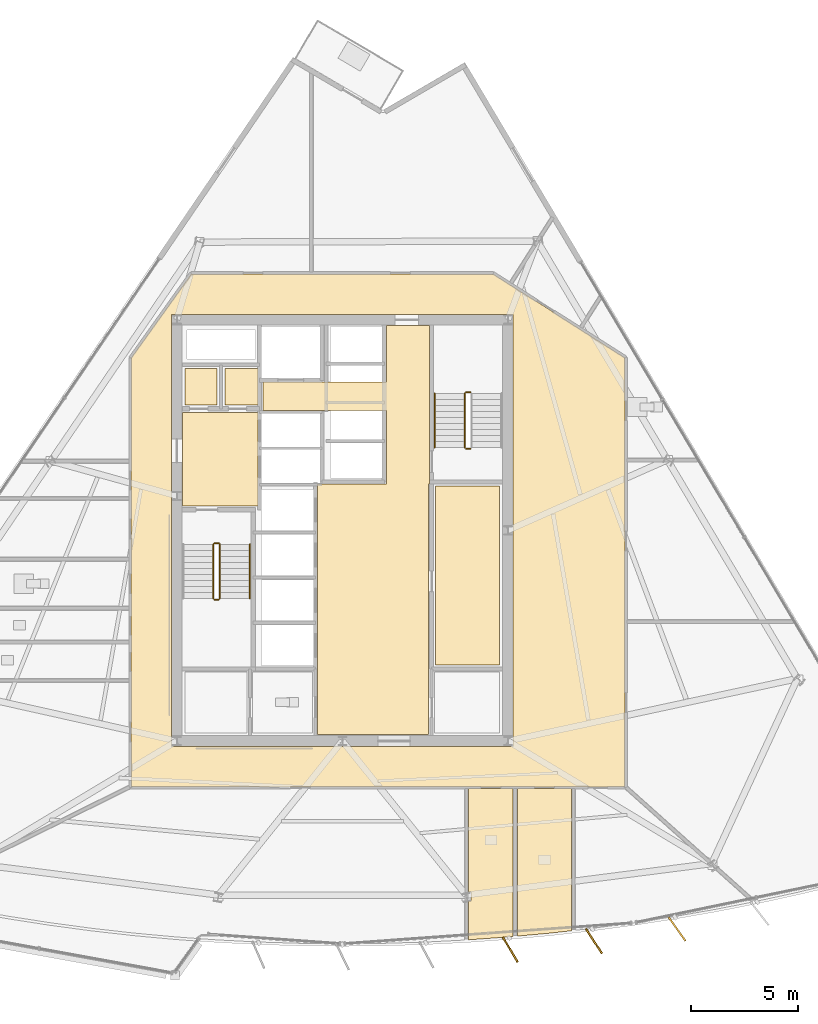
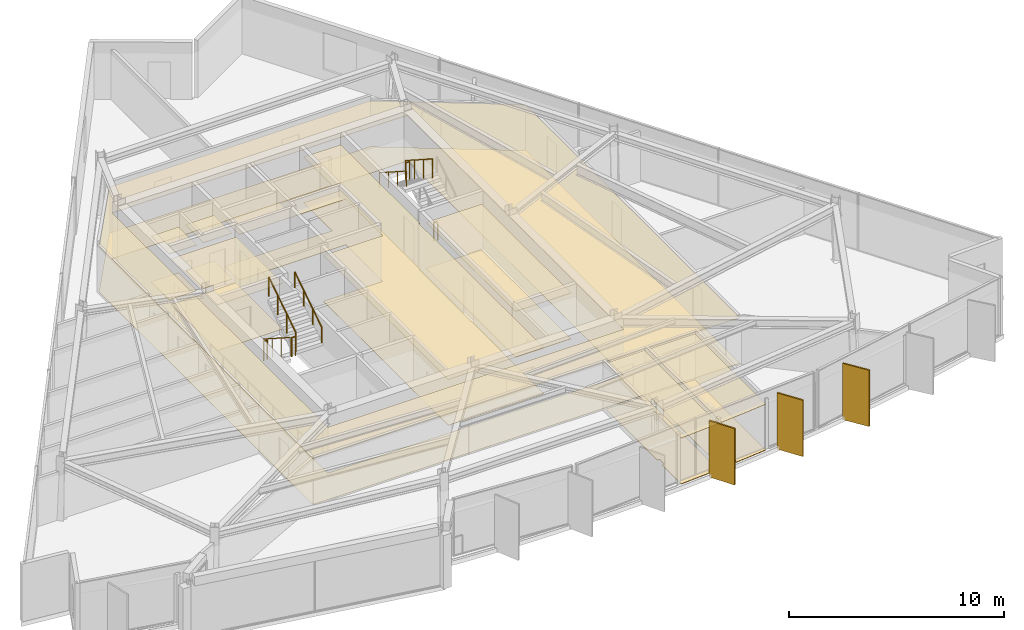
# One storey, part 12 of 14: 16 coverings, 9 railings, 3 shading devices.
"""IFC4 building model written with IfcOpenShell, lengths in metres."""

from ifc_helpers import new_model, si_unit, direction, frame, origin, origin_2d, place, context, subcontext, project, spatial, polyline, rectangle, circle, outline, extrude, material, layer, layer_set, type_object, element, save


model = new_model("IFC4")

# Units and contexts
model_context = context("Model", 3, precision=1e-05, world=origin(), true_north=direction((0.0, 1.0)))
body_context = subcontext(model_context, "Body", "Model", "MODEL_VIEW")
ifc_project = project(units=[si_unit("LENGTHUNIT", "METRE"), si_unit("AREAUNIT", "SQUARE_METRE"), si_unit("VOLUMEUNIT", "CUBIC_METRE"), si_unit("PLANEANGLEUNIT", "RADIAN"), si_unit("MASSUNIT", "GRAM", prefix="KILO")], contexts=[model_context])

# Site, building, storey
site_placement = place(None, origin())
site = spatial("IfcSite", under=ifc_project, at=site_placement, CompositionType="ELEMENT")
building_placement = place(site_placement, origin())
building = spatial("IfcBuilding", under=site, at=building_placement, Name="Savorim Split Tower", CompositionType="ELEMENT")
storey_placement = place(building_placement, frame((0.0, 0.0, 181.800048828125)))
storey = spatial("IfcBuildingStorey", under=building, at=storey_placement, Name="L48", CompositionType="ELEMENT", Elevation=181.800048828125)

# Coverings
ifc_material_1 = material(Name="Mineral Fibre Acoustic Ceiling")
ifc_layer_1 = layer(ifc_material_1, 0.02490234375)
ifc_layer_set_1 = layer_set([ifc_layer_1], Name="COV-CEIL-25")
covering_type_1 = type_object("IfcCoveringType", Name="COV-CEIL-25", PredefinedType="CEILING", material=ifc_layer_set_1)
covering_1_placement = place(storey_placement, frame((0.0, 0.0, 2.599853515625)))
element("IfcCovering", 1, at=covering_1_placement, inside=storey, type_object=covering_type_1, Name="L48 Firefighting Lift Lobby Acoustic Ceiling", PredefinedType="CEILING", context=body_context, shape_type="SweptSolid", body=[
    extrude(outline(polyline([(-7.429931640625, 5.8701171875), (-7.429931640625, 1.530029296875), (-3.929931640625, 1.530029296875), (-3.929931640625, 5.8701171875), (-7.429931640625, 5.8701171875)])), origin(), (0.0, 0.0, 1.0), 0.025146484375),
])
covering_2_placement = place(storey_placement, frame((0.0, 0.0, 2.599853515625)))
element("IfcCovering", 2, at=covering_2_placement, inside=storey, type_object=covering_type_1, Name="L48 Electrical Riser Acoustic Ceiling", PredefinedType="CEILING", context=body_context, shape_type="SweptSolid", body=[
    extrude(outline(polyline([(-7.320068359375, 7.919921875), (-7.320068359375, 6.22998046875), (-5.830078125, 6.22998046875), (-5.830078125, 7.919921875), (-7.320068359375, 7.919921875)])), origin(), (0.0, 0.0, 1.0), 0.025146484375),
])
covering_3_placement = place(storey_placement, frame((0.0, 0.0, 2.599853515625)))
element("IfcCovering", 3, at=covering_3_placement, inside=storey, type_object=covering_type_1, Name="L48 Telecom Riser Acoustic Ceiling", PredefinedType="CEILING", context=body_context, shape_type="SweptSolid", body=[
    extrude(outline(polyline([(-5.469970703125, 7.919921875), (-5.469970703125, 6.22998046875), (-3.929931640625, 6.22998046875), (-3.929931640625, 7.919921875), (-5.469970703125, 7.919921875)])), origin(), (0.0, 0.0, 1.0), 0.025146484375),
])
covering_4_placement = place(storey_placement, frame((0.0, 0.0, 2.599853515625)))
element("IfcCovering", 4, at=covering_4_placement, inside=storey, type_object=covering_type_1, Name="L48 Lift Lobby Acoustic Ceiling", PredefinedType="CEILING", context=body_context, shape_type="SweptSolid", body=[
    extrude(outline(polyline([(2.050048828125, 2.550048828125), (-1.14990234375, 2.550048828125), (-1.14990234375, -9.10009765625), (4.0, -9.10009765625), (4.0, 2.550048828125), (4.050048828125, 2.550048828125), (4.050048828125, 5.97998046875), (4.050048828125, 7.300048828125), (4.050048828125, 9.929931640625), (2.050048828125, 9.929931640625), (2.050048828125, 7.300048828125), (-3.699951171875, 7.300048828125), (-3.699951171875, 5.97998046875), (2.050048828125, 5.97998046875), (2.050048828125, 2.550048828125)])), origin(), (0.0, 0.0, 1.0), 0.025146484375),
])
covering_5_placement = place(storey_placement, frame((0.0, 0.0, 2.599853515625)))
element("IfcCovering", 5, at=covering_5_placement, inside=storey, type_object=covering_type_1, Name="L48 Shared Pantry and Linen Room Acoustic Ceiling", PredefinedType="CEILING", context=body_context, shape_type="SweptSolid", body=[
    extrude(outline(polyline([(4.330078125, 2.469970703125), (4.330078125, -5.8701171875), (7.320068359375, -5.8701171875), (7.320068359375, 2.469970703125), (4.330078125, 2.469970703125)])), origin(), (0.0, 0.0, 1.0), 0.025146484375),
])
covering_6_placement = place(storey_placement, frame((0.0, 0.0, 2.599853515625)))
element("IfcCovering", 6, at=covering_6_placement, inside=storey, type_object=covering_type_1, Name="L48 Corridor Acoustic Ceiling", PredefinedType="CEILING", context=body_context, shape_type="SweptSolid", body=[
    extrude(outline(polyline([(7.009521484375, 12.3291015625), (7.004638671875, 12.329833984375), (7.0, 12.330078125), (-7.0, 12.330078125), (-7.004638671875, 12.329833984375), (-7.009521484375, 12.3291015625), (-7.013916015625, 12.327880859375), (-7.0185546875, 12.326416015625), (-7.022705078125, 12.324462890625), (-7.027099609375, 12.322021484375), (-7.03076171875, 12.3193359375), (-7.034423828125, 12.31640625), (-7.03759765625, 12.312744140625), (-7.04052734375, 12.30908203125), (-9.820556640625, 8.42919921875), (-9.823486328125, 8.4248046875), (-9.82568359375, 8.420166015625), (-9.82763671875, 8.415283203125), (-9.828857421875, 8.410400390625), (-9.82958984375, 8.4052734375), (-9.830078125, 8.39990234375), (-9.830078125, -11.47998046875), (-9.829833984375, -11.48486328125), (-9.8291015625, -11.48974609375), (-9.827880859375, -11.494384765625), (-9.826171875, -11.4990234375), (-9.82421875, -11.503662109375), (-9.821533203125, -11.5078125), (-9.818603515625, -11.51171875), (-9.8154296875, -11.515380859375), (-9.811767578125, -11.518798828125), (-9.807861328125, -11.521484375), (-9.8037109375, -11.524169921875), (-9.799072265625, -11.526123046875), (-9.79443359375, -11.52783203125), (-9.789794921875, -11.529052734375), (-9.784912109375, -11.52978515625), (-9.780029296875, -11.530029296875), (13.10009765625, -11.530029296875), (13.10498046875, -11.52978515625), (13.10986328125, -11.529052734375), (13.114501953125, -11.52783203125), (13.119140625, -11.526123046875), (13.12353515625, -11.524169921875), (13.127685546875, -11.521484375), (13.131591796875, -11.518798828125), (13.135498046875, -11.515380859375), (13.138671875, -11.51171875), (13.1416015625, -11.5078125), (13.14404296875, -11.503662109375), (13.146240234375, -11.4990234375), (13.147705078125, -11.494384765625), (13.14892578125, -11.48974609375), (13.14990234375, -11.48486328125), (13.14990234375, -11.47998046875), (13.14990234375, 8.39990234375), (13.149658203125, 8.405029296875), (13.14892578125, 8.409912109375), (13.147705078125, 8.414794921875), (13.14599609375, 8.41943359375), (13.143798828125, 8.424072265625), (13.14111328125, 8.42822265625), (13.13818359375, 8.432373046875), (13.134765625, 8.43603515625), (13.130859375, 8.439208984375), (13.126708984375, 8.442138671875), (7.02685546875, 12.322265625), (7.022705078125, 12.324462890625), (7.018310546875, 12.326416015625), (7.013916015625, 12.327880859375), (7.009521484375, 12.3291015625)]), holes=[polyline([(-7.949951171875, 10.449951171875), (-7.949951171875, -9.64990234375), (7.949951171875, -9.64990234375), (7.949951171875, 10.449951171875), (-7.949951171875, 10.449951171875)])]), origin(), (0.0, 0.0, 1.0), 0.025146484375),
])
covering_7_placement = place(storey_placement, frame((0.0, 0.0, 2.599853515625)))
element("IfcCovering", 7, at=covering_7_placement, inside=storey, type_object=covering_type_1, Name="L48 Shared Kitchen Acoustic Ceiling", PredefinedType="CEILING", context=body_context, shape_type="SweptSolid", body=[
    extrude(outline(polyline([(5.868896484375, -18.605712890625), (5.868896484375, -18.64990234375), (7.7626953125, -18.51416015625), (7.947509765625, -18.4970703125), (7.947509765625, -11.6201171875), (5.868896484375, -11.6201171875), (5.868896484375, -16.422119140625), (5.984375, -16.422119140625), (5.984375, -16.84130859375), (5.868896484375, -16.84130859375), (5.868896484375, -18.605712890625)])), origin(), (0.0, 0.0, 1.0), 0.025146484375),
])
covering_8_placement = place(storey_placement, frame((0.0, 0.0, 2.599853515625)))
element("IfcCovering", 8, at=covering_8_placement, inside=storey, type_object=covering_type_1, Name="L48 Shared Kitchen Acoustic Ceiling", PredefinedType="CEILING", context=body_context, shape_type="SweptSolid", body=[
    extrude(outline(polyline([(8.137451171875, -11.6201171875), (8.137451171875, -18.4794921875), (9.697509765625, -18.33544921875), (10.661376953125, -18.2265625), (10.661376953125, -11.6201171875), (8.137451171875, -11.6201171875)])), origin(), (0.0, 0.0, 1.0), 0.025146484375),
])
ifc_material_2 = material(Name="Porcelain Stoneware Flooring", Category="masonry")
ifc_layer_2 = layer(ifc_material_2, 0.02001953125)
ifc_layer_set_2 = layer_set([ifc_layer_2], Name="COV-FLOR-20")
covering_type_2 = type_object("IfcCoveringType", Name="COV-FLOR-20", PredefinedType="FLOORING", material=ifc_layer_set_2)
covering_9_placement = place(storey_placement, origin())
element("IfcCovering", 9, at=covering_9_placement, inside=storey, type_object=covering_type_2, Name="L48 Firefighting Lift Lobby Porcelain Flooring", PredefinedType="FLOORING", context=body_context, shape_type="SweptSolid", body=[
    extrude(outline(polyline([(-7.429931640625, 5.8701171875), (-7.429931640625, 1.530029296875), (-3.929931640625, 1.530029296875), (-3.929931640625, 5.8701171875), (-7.429931640625, 5.8701171875)])), origin(), (0.0, 0.0, 1.0), 0.02001953125),
])
covering_10_placement = place(storey_placement, origin())
element("IfcCovering", 10, at=covering_10_placement, inside=storey, type_object=covering_type_2, Name="L48 Electrical Riser Porcelain Flooring", PredefinedType="FLOORING", context=body_context, shape_type="SweptSolid", body=[
    extrude(outline(polyline([(-7.320068359375, 7.919921875), (-7.320068359375, 6.22998046875), (-5.830078125, 6.22998046875), (-5.830078125, 7.919921875), (-7.320068359375, 7.919921875)])), origin(), (0.0, 0.0, 1.0), 0.02001953125),
])
covering_11_placement = place(storey_placement, origin())
element("IfcCovering", 11, at=covering_11_placement, inside=storey, type_object=covering_type_2, Name="L48 Telecom Riser Porcelain Flooring", PredefinedType="FLOORING", context=body_context, shape_type="SweptSolid", body=[
    extrude(outline(polyline([(-5.469970703125, 7.919921875), (-5.469970703125, 6.22998046875), (-3.929931640625, 6.22998046875), (-3.929931640625, 7.919921875), (-5.469970703125, 7.919921875)])), origin(), (0.0, 0.0, 1.0), 0.02001953125),
])
covering_12_placement = place(storey_placement, origin())
element("IfcCovering", 12, at=covering_12_placement, inside=storey, type_object=covering_type_2, Name="L48 Lift Lobby Porcelain Flooring", PredefinedType="FLOORING", context=body_context, shape_type="SweptSolid", body=[
    extrude(outline(polyline([(2.050048828125, 2.550048828125), (-1.14990234375, 2.550048828125), (-1.14990234375, -9.10009765625), (4.0, -9.10009765625), (4.0, 2.550048828125), (4.050048828125, 2.550048828125), (4.050048828125, 5.97998046875), (4.050048828125, 7.300048828125), (4.050048828125, 9.929931640625), (2.050048828125, 9.929931640625), (2.050048828125, 7.300048828125), (-3.699951171875, 7.300048828125), (-3.699951171875, 5.97998046875), (2.050048828125, 5.97998046875), (2.050048828125, 2.550048828125)])), origin(), (0.0, 0.0, 1.0), 0.02001953125),
])
covering_13_placement = place(storey_placement, origin())
element("IfcCovering", 13, at=covering_13_placement, inside=storey, type_object=covering_type_2, Name="L48 Shared Pantry and Linen Room Porcelain Flooring", PredefinedType="FLOORING", context=body_context, shape_type="SweptSolid", body=[
    extrude(outline(polyline([(4.330078125, 2.469970703125), (4.330078125, -5.8701171875), (7.320068359375, -5.8701171875), (7.320068359375, 2.469970703125), (4.330078125, 2.469970703125)])), origin(), (0.0, 0.0, 1.0), 0.02001953125),
])
covering_14_placement = place(storey_placement, origin())
element("IfcCovering", 14, at=covering_14_placement, inside=storey, type_object=covering_type_2, Name="L48 Corridor Porcelain Flooring", PredefinedType="FLOORING", context=body_context, shape_type="SweptSolid", body=[
    extrude(outline(polyline([(7.009521484375, 12.3291015625), (7.004638671875, 12.329833984375), (7.0, 12.330078125), (-7.0, 12.330078125), (-7.004638671875, 12.329833984375), (-7.009521484375, 12.3291015625), (-7.013916015625, 12.327880859375), (-7.0185546875, 12.326416015625), (-7.022705078125, 12.324462890625), (-7.027099609375, 12.322021484375), (-7.03076171875, 12.3193359375), (-7.034423828125, 12.31640625), (-7.03759765625, 12.312744140625), (-7.04052734375, 12.30908203125), (-9.820556640625, 8.42919921875), (-9.823486328125, 8.4248046875), (-9.82568359375, 8.420166015625), (-9.82763671875, 8.415283203125), (-9.828857421875, 8.410400390625), (-9.82958984375, 8.4052734375), (-9.830078125, 8.39990234375), (-9.830078125, -11.47998046875), (-9.829833984375, -11.48486328125), (-9.8291015625, -11.48974609375), (-9.827880859375, -11.494384765625), (-9.826171875, -11.4990234375), (-9.82421875, -11.503662109375), (-9.821533203125, -11.5078125), (-9.818603515625, -11.51171875), (-9.8154296875, -11.515380859375), (-9.811767578125, -11.518798828125), (-9.807861328125, -11.521484375), (-9.8037109375, -11.524169921875), (-9.799072265625, -11.526123046875), (-9.79443359375, -11.52783203125), (-9.789794921875, -11.529052734375), (-9.784912109375, -11.52978515625), (-9.780029296875, -11.530029296875), (13.10009765625, -11.530029296875), (13.10498046875, -11.52978515625), (13.10986328125, -11.529052734375), (13.114501953125, -11.52783203125), (13.119140625, -11.526123046875), (13.12353515625, -11.524169921875), (13.127685546875, -11.521484375), (13.131591796875, -11.518798828125), (13.135498046875, -11.515380859375), (13.138671875, -11.51171875), (13.1416015625, -11.5078125), (13.14404296875, -11.503662109375), (13.146240234375, -11.4990234375), (13.147705078125, -11.494384765625), (13.14892578125, -11.48974609375), (13.14990234375, -11.48486328125), (13.14990234375, -11.47998046875), (13.14990234375, 8.39990234375), (13.149658203125, 8.405029296875), (13.14892578125, 8.409912109375), (13.147705078125, 8.414794921875), (13.14599609375, 8.41943359375), (13.143798828125, 8.424072265625), (13.14111328125, 8.42822265625), (13.13818359375, 8.432373046875), (13.134765625, 8.43603515625), (13.130859375, 8.439208984375), (13.126708984375, 8.442138671875), (7.02685546875, 12.322265625), (7.022705078125, 12.324462890625), (7.018310546875, 12.326416015625), (7.013916015625, 12.327880859375), (7.009521484375, 12.3291015625)]), holes=[polyline([(-7.949951171875, 10.449951171875), (-7.949951171875, -9.64990234375), (7.949951171875, -9.64990234375), (7.949951171875, 10.449951171875), (-7.949951171875, 10.449951171875)])]), origin(), (0.0, 0.0, 1.0), 0.02001953125),
])
covering_15_placement = place(storey_placement, origin())
element("IfcCovering", 15, at=covering_15_placement, inside=storey, type_object=covering_type_2, Name="L48 Shared Kitchen Porcelain Flooring", PredefinedType="FLOORING", context=body_context, shape_type="SweptSolid", body=[
    extrude(outline(polyline([(5.868896484375, -18.605712890625), (5.868896484375, -18.64990234375), (7.7626953125, -18.51416015625), (7.947509765625, -18.4970703125), (7.947509765625, -11.6201171875), (5.868896484375, -11.6201171875), (5.868896484375, -16.422119140625), (5.984375, -16.422119140625), (5.984375, -16.84130859375), (5.868896484375, -16.84130859375), (5.868896484375, -18.605712890625)])), origin(), (0.0, 0.0, 1.0), 0.02001953125),
])
covering_16_placement = place(storey_placement, origin())
element("IfcCovering", 16, at=covering_16_placement, inside=storey, type_object=covering_type_2, Name="L48 Shared Kitchen Porcelain Flooring", PredefinedType="FLOORING", context=body_context, shape_type="SweptSolid", body=[
    extrude(outline(polyline([(8.137451171875, -11.6201171875), (8.137451171875, -18.4794921875), (9.697509765625, -18.33544921875), (10.661376953125, -18.2265625), (10.661376953125, -11.6201171875), (8.137451171875, -11.6201171875)])), origin(), (0.0, 0.0, 1.0), 0.02001953125),
])

# Railings
ifc_material_3 = material(Name="Galvanised Painted Steel Balustrade", Category="steel")
railing_type_1 = type_object("IfcRailingType", Name="RLG-HR-900", PredefinedType="HANDRAIL", material=ifc_material_3)
railing_1_placement = place(storey_placement, frame((-4.300048828125, -2.77001953125, 1.97998046875)))
element("IfcRailing", 17, at=railing_1_placement, inside=storey, type_object=railing_type_1, Name="L48 ST-1 stair handrail 2", PredefinedType="HANDRAIL", context=body_context, shape_type="SweptSolid", body=[
    extrude(circle(Radius=0.02392578125, at=origin_2d()), frame((0.0, 0.0, 0.8759765625), z_axis=(0.0, 0.841199657755, 0.540724639528), x_axis=(-1.0, 0.0, 0.0)), (0.0, 0.0, 1.0), 2.995849609375),
    extrude(circle(Radius=0.02099609375, at=origin_2d()), origin(), (0.0, 0.0, 1.0), 0.851806640625),
    extrude(circle(Radius=0.02099609375, at=origin_2d()), frame((0.0, 0.840087890625, 0.5400390625)), (0.0, 0.0, 1.0), 0.851806640625),
    extrude(circle(Radius=0.02099609375, at=origin_2d()), frame((0.0, 1.679931640625, 1.079833984375)), (0.0, 0.0, 1.0), 0.851806640625),
    extrude(circle(Radius=0.02099609375, at=origin_2d()), frame((0.0, 2.52001953125, 1.619873046875)), (0.0, 0.0, 1.0), 0.851806640625),
])
railing_2_placement = place(storey_placement, frame((4.300048828125, 6.77001953125, 1.97998046875)))
element("IfcRailing", 18, at=railing_2_placement, inside=storey, type_object=railing_type_1, Name="L48 ST-2 stair handrail 2", PredefinedType="HANDRAIL", context=body_context, shape_type="SweptSolid", body=[
    extrude(circle(Radius=0.02392578125, at=origin_2d()), frame((0.0, 0.0, 0.8759765625), z_axis=(0.0, -0.841199657755, 0.540724639528), x_axis=(1.0, 0.0, 0.0)), (0.0, 0.0, 1.0), 2.995849609375),
    extrude(circle(Radius=0.02099609375, at=origin_2d()), origin(), (0.0, 0.0, 1.0), 0.851806640625),
    extrude(circle(Radius=0.02099609375, at=origin_2d()), frame((0.0, -0.840087890625, 0.5400390625)), (0.0, 0.0, 1.0), 0.851806640625),
    extrude(circle(Radius=0.02099609375, at=origin_2d()), frame((0.0, -1.679931640625, 1.079833984375)), (0.0, 0.0, 1.0), 0.851806640625),
    extrude(circle(Radius=0.02099609375, at=origin_2d()), frame((0.0, -2.52001953125, 1.619873046875)), (0.0, 0.0, 1.0), 0.851806640625),
])
railing_type_2 = type_object("IfcRailingType", Name="RLG-STG-1100", PredefinedType="BALUSTRADE", material=ifc_material_3)
railing_3_placement = place(storey_placement, frame((-6.0, -0.25, 0.179931640625)))
element("IfcRailing", 19, at=railing_3_placement, inside=storey, type_object=railing_type_2, Name="L48 ST-1 stair guard 1", PredefinedType="BALUSTRADE", context=body_context, shape_type="SweptSolid", body=[
    extrude(circle(Radius=0.02392578125, at=origin_2d()), frame((0.0, 0.0, 1.076171875), z_axis=(0.0, -0.841162588446, 0.540782303519), x_axis=(1.0, 0.0, 0.0)), (0.0, 0.0, 1.0), 2.995849609375),
    extrude(circle(Radius=0.02099609375, at=origin_2d()), origin(), (0.0, 0.0, 1.0), 1.052001953125),
    extrude(circle(Radius=0.02099609375, at=origin_2d()), frame((0.0, -0.840087890625, 0.5400390625)), (0.0, 0.0, 1.0), 1.052001953125),
    extrude(circle(Radius=0.02099609375, at=origin_2d()), frame((0.0, -1.679931640625, 1.080078125)), (0.0, 0.0, 1.0), 1.052001953125),
    extrude(circle(Radius=0.02099609375, at=origin_2d()), frame((0.0, -2.52001953125, 1.6201171875)), (0.0, 0.0, 1.0), 1.052001953125),
])
railing_4_placement = place(storey_placement, frame((-5.949951171875, -2.820068359375, 1.800048828125)))
element("IfcRailing", 20, at=railing_4_placement, inside=storey, type_object=railing_type_2, Name="L48 ST-1 stair guard 2", PredefinedType="BALUSTRADE", context=body_context, shape_type="SweptSolid", body=[
    extrude(circle(Radius=0.02392578125, at=origin_2d()), frame((0.0, 0.0, 1.076171875), z_axis=(1.0, 0.0, 0.0), x_axis=(0.0, 1.0, 0.0)), (0.0, 0.0, 1.0), 0.199951171875),
    extrude(circle(Radius=0.02099609375, at=origin_2d()), origin(), (0.0, 0.0, 1.0), 1.052001953125),
    extrude(circle(Radius=0.02099609375, at=origin_2d()), frame((0.199951171875, 0.0, 0.0)), (0.0, 0.0, 1.0), 1.052001953125),
])
railing_5_placement = place(storey_placement, frame((-5.699951171875, -2.77001953125, 1.97998046875)))
element("IfcRailing", 21, at=railing_5_placement, inside=storey, type_object=railing_type_2, Name="L48 ST-1 stair guard 3", PredefinedType="BALUSTRADE", context=body_context, shape_type="SweptSolid", body=[
    extrude(circle(Radius=0.02392578125, at=origin_2d()), frame((0.0, 0.0, 1.076171875), z_axis=(0.0, 0.841199657755, 0.540724639528), x_axis=(-1.0, 0.0, 0.0)), (0.0, 0.0, 1.0), 2.995849609375),
    extrude(circle(Radius=0.02099609375, at=origin_2d()), origin(), (0.0, 0.0, 1.0), 1.052001953125),
    extrude(circle(Radius=0.02099609375, at=origin_2d()), frame((0.0, 0.840087890625, 0.5400390625)), (0.0, 0.0, 1.0), 1.052001953125),
    extrude(circle(Radius=0.02099609375, at=origin_2d()), frame((0.0, 1.679931640625, 1.079833984375)), (0.0, 0.0, 1.0), 1.052001953125),
    extrude(circle(Radius=0.02099609375, at=origin_2d()), frame((0.0, 2.52001953125, 1.619873046875)), (0.0, 0.0, 1.0), 1.052001953125),
])
railing_6_placement = place(storey_placement, frame((-5.949951171875, -0.199951171875, 0.0)))
element("IfcRailing", 22, at=railing_6_placement, inside=storey, type_object=railing_type_2, Name="L48 ST-1 stair guard 4", PredefinedType="BALUSTRADE", context=body_context, shape_type="SweptSolid", body=[
    extrude(circle(Radius=0.02392578125, at=origin_2d()), frame((0.0, 0.0, 1.076171875), z_axis=(1.0, 0.0, 0.0), x_axis=(0.0, 1.0, 0.0)), (0.0, 0.0, 1.0), 0.199951171875),
    extrude(circle(Radius=0.02099609375, at=origin_2d()), origin(), (0.0, 0.0, 1.0), 1.052001953125),
    extrude(circle(Radius=0.02099609375, at=origin_2d()), frame((0.199951171875, 0.0, 0.0)), (0.0, 0.0, 1.0), 1.052001953125),
])
railing_7_placement = place(storey_placement, frame((5.949951171875, 6.820068359375, 1.800048828125)))
element("IfcRailing", 23, at=railing_7_placement, inside=storey, type_object=railing_type_2, Name="L48 ST-2 stair guard 2", PredefinedType="BALUSTRADE", context=body_context, shape_type="SweptSolid", body=[
    extrude(circle(Radius=0.02392578125, at=origin_2d()), frame((0.0, 0.0, 1.076171875), z_axis=(-1.0, 0.0, 0.0), x_axis=(0.0, -1.0, 0.0)), (0.0, 0.0, 1.0), 0.199951171875),
    extrude(circle(Radius=0.02099609375, at=origin_2d()), origin(), (0.0, 0.0, 1.0), 1.052001953125),
    extrude(circle(Radius=0.02099609375, at=origin_2d()), frame((-0.199951171875, 0.0, 0.0)), (0.0, 0.0, 1.0), 1.052001953125),
])
railing_8_placement = place(storey_placement, frame((5.699951171875, 6.77001953125, 1.97998046875)))
element("IfcRailing", 24, at=railing_8_placement, inside=storey, type_object=railing_type_2, Name="L48 ST-2 stair guard 3", PredefinedType="BALUSTRADE", context=body_context, shape_type="SweptSolid", body=[
    extrude(circle(Radius=0.02392578125, at=origin_2d()), frame((0.0, 0.0, 1.076171875), z_axis=(0.0, -0.841199657755, 0.540724639528), x_axis=(1.0, 0.0, 0.0)), (0.0, 0.0, 1.0), 2.995849609375),
    extrude(circle(Radius=0.02099609375, at=origin_2d()), origin(), (0.0, 0.0, 1.0), 1.052001953125),
    extrude(circle(Radius=0.02099609375, at=origin_2d()), frame((0.0, -0.840087890625, 0.5400390625)), (0.0, 0.0, 1.0), 1.052001953125),
    extrude(circle(Radius=0.02099609375, at=origin_2d()), frame((0.0, -1.679931640625, 1.079833984375)), (0.0, 0.0, 1.0), 1.052001953125),
    extrude(circle(Radius=0.02099609375, at=origin_2d()), frame((0.0, -2.52001953125, 1.619873046875)), (0.0, 0.0, 1.0), 1.052001953125),
])
railing_9_placement = place(storey_placement, frame((5.949951171875, 4.199951171875, 0.0)))
element("IfcRailing", 25, at=railing_9_placement, inside=storey, type_object=railing_type_2, Name="L48 ST-2 stair guard 4", PredefinedType="BALUSTRADE", context=body_context, shape_type="SweptSolid", body=[
    extrude(circle(Radius=0.02392578125, at=origin_2d()), frame((0.0, 0.0, 1.076171875), z_axis=(-1.0, 0.0, 0.0), x_axis=(0.0, -1.0, 0.0)), (0.0, 0.0, 1.0), 0.199951171875),
    extrude(circle(Radius=0.02099609375, at=origin_2d()), origin(), (0.0, 0.0, 1.0), 1.052001953125),
    extrude(circle(Radius=0.02099609375, at=origin_2d()), frame((-0.199951171875, 0.0, 0.0)), (0.0, 0.0, 1.0), 1.052001953125),
])

# Shading devices
ifc_material_4 = material(Name="Terracotta Ceramic-Coated Aluminium Fin", Category="masonry")
shading_device_type = type_object("IfcShadingDeviceType", Name="SHD-FIN-1360", PredefinedType="USERDEFINED", material=ifc_material_4)
for number, where, z_axis, x_axis, name in (
    (26, (7.8115234375, -19.108154296875, -0.2001953125), (0.0, 0.0, 1.0), (0.510391336723, -0.859942255851, 0.0), "L48 Sawtooth Shading Fin 09"),
    (27, (11.700927734375, -18.708740234375, -0.2001953125), (0.0, 0.0, 1.0), (0.545148321708, -0.838339613366, 0.0), "L48 Sawtooth Shading Fin 10"),
    (28, (15.57080078125, -18.150634765625, -0.2001953125), (0.0, 0.0, 1.0), (0.578993757737, -0.815331974414, 0.0), "L48 Sawtooth Shading Fin 11"),
):
    element("IfcShadingDevice", number, at=place(storey_placement, frame(where, z_axis=z_axis, x_axis=x_axis)), inside=storey, type_object=shading_device_type, Name=name, ObjectType="FIN", PredefinedType="USERDEFINED", context=body_context, shape_type="SweptSolid", body=[
        extrude(rectangle(XDim=1.360107421875, YDim=0.080078125, at=origin_2d()), origin(), (0.0, 0.0, 1.0), 3.199951171875),
    ])

save(model, "model.ifc")
